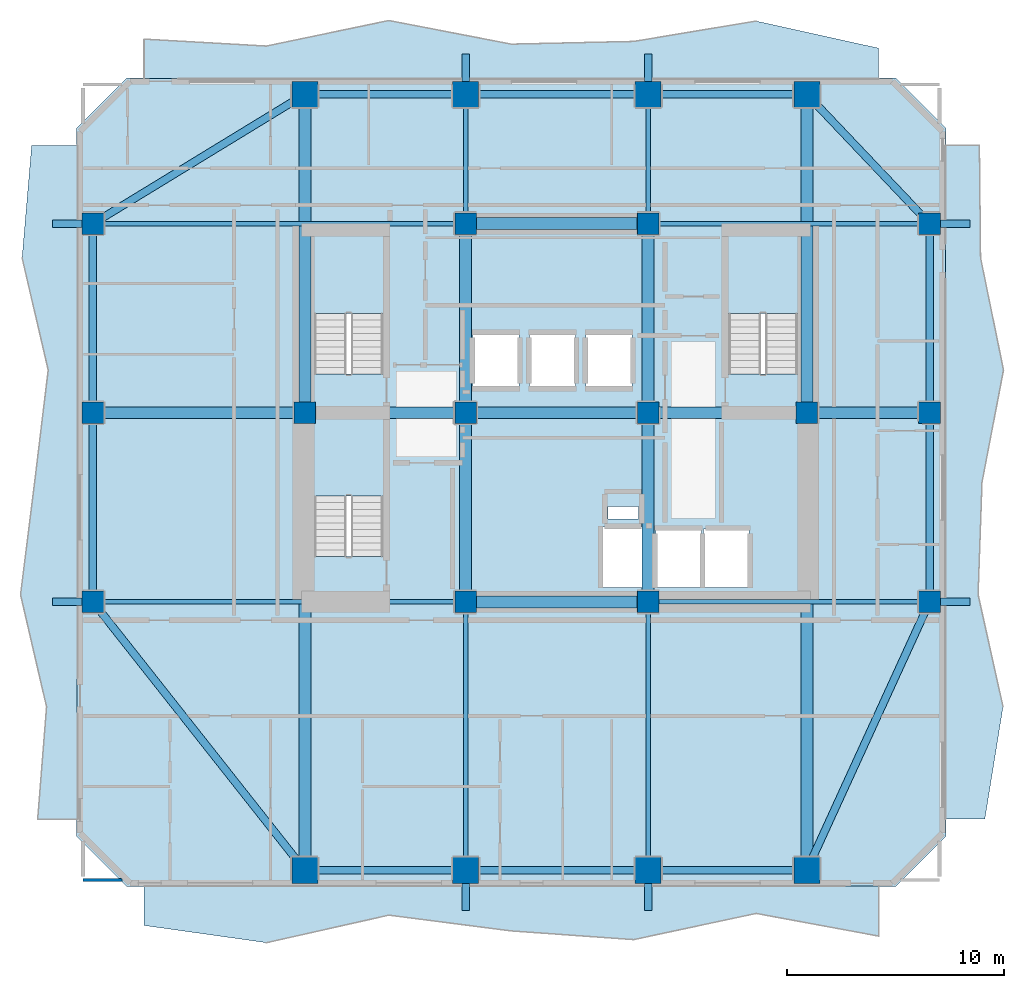
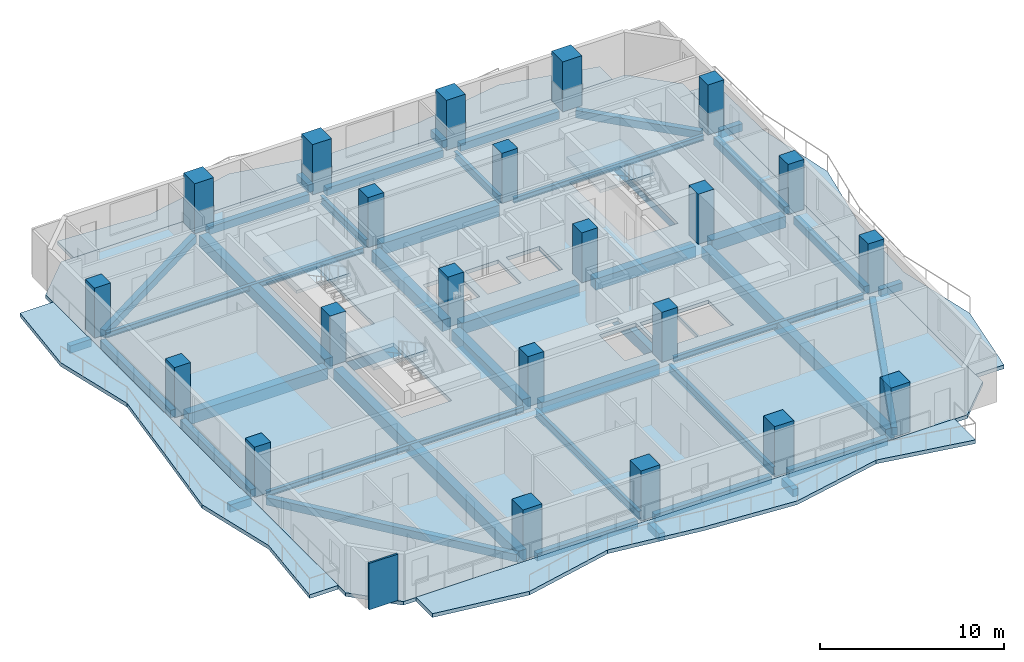
# One storey, part 1 of 10: 45 beams, 22 columns, 8 slabs, 1 wall, 3 elements without a shape of their own.
"""IFC4 building model written with IfcOpenShell, lengths in metres."""

from ifc_helpers import new_model, si_unit, direction, frame, frame_2d, origin, origin_2d, place, context, subcontext, project, spatial, polyline, rectangle, i_section, outline, extrude, material, layer, layer_set, material_profile, profile_set, type_object, element, aggregate, save


model = new_model("IFC4")

# Units and contexts
model_context = context("Model", 3, precision=1e-05, world=origin(), true_north=direction((0.0, 1.0)))
body_context = subcontext(model_context, "Body", "Model", "MODEL_VIEW")
ifc_project = project(units=[si_unit("LENGTHUNIT", "METRE"), si_unit("AREAUNIT", "SQUARE_METRE"), si_unit("VOLUMEUNIT", "CUBIC_METRE"), si_unit("PLANEANGLEUNIT", "RADIAN"), si_unit("MASSUNIT", "GRAM", prefix="KILO")], contexts=[model_context])

# Site, building, storey
site_placement = place(None, origin())
site = spatial("IfcSite", under=ifc_project, at=site_placement, CompositionType="ELEMENT")
building_placement = place(site_placement, origin())
building = spatial("IfcBuilding", under=site, at=building_placement, Name="Solanera Arch Residences", CompositionType="ELEMENT")
storey_placement = place(building_placement, frame((0.0, 0.0, 119.360107421875)))
storey = spatial("IfcBuildingStorey", under=building, at=storey_placement, Name="L34", CompositionType="ELEMENT", Elevation=119.360107421875)

# Columns
ifc_material_1 = material(Name="Concrete C55/67 (f'c = 60 MPa)", Category="concrete")
ifc_material_profile_1 = material_profile(ifc_material_1, rectangle(XDim=1.0, YDim=1.0, at=origin_2d()))
ifc_profile_set_1 = profile_set([ifc_material_profile_1], Name="Concrete C55/67 (f'c = 60 MPa)")
column_type_1 = type_object("IfcColumnType", Name="Structural Column RC-COL-1000X1000", PredefinedType="COLUMN", material=ifc_profile_set_1)
for number, where, z_axis, x_axis, name in (
    (1, (20.800048828125, 22.0, 0.0), (0.0, 0.0, 1.0), (1.0, 0.0, 0.0), "COL-L34-CB-SW"),
    (2, (29.199951171875, 22.0, 0.0), (0.0, 0.0, 1.0), (1.0, 0.0, 0.0), "COL-L34-CB-SE"),
    (3, (20.800048828125, 39.39990234375, 0.0), (0.0, 0.0, 1.0), (1.0, 0.0, 0.0), "COL-L34-CB-NW"),
    (4, (29.199951171875, 39.39990234375, 0.0), (0.0, 0.0, 1.0), (1.0, 0.0, 0.0), "COL-L34-CB-NE"),
    (5, (13.39990234375, 30.699951171875, 0.0), (0.0, 0.0, 1.0), (1.0, 0.0, 0.0), "COL-L34-CB-WW"),
    (6, (36.5, 30.699951171875, 0.0), (0.0, 0.0, 1.0), (1.0, 0.0, 0.0), "COL-L34-CB-EE"),
    (7, (20.800048828125, 30.699951171875, 0.0), (0.0, 0.0, 1.0), (1.0, 0.0, 0.0), "COL-L34-CORE-W"),
    (8, (29.199951171875, 30.699951171875, 0.0), (0.0, 0.0, 1.0), (1.0, 0.0, 0.0), "COL-L34-CORE-E"),
    (9, (3.64990234375, 22.0, 0.0), (0.0, 0.0, 1.0), (1.0, 0.0, 0.0), "COL-L34-TWR-09"),
    (10, (42.14990234375, 22.0, 0.0), (0.0, 0.0, 1.0), (1.0, 0.0, 0.0), "COL-L34-TWR-10"),
    (11, (3.64990234375, 30.699951171875, 0.0), (0.0, 0.0, 1.0), (1.0, 0.0, 0.0), "COL-L34-TWR-11"),
    (12, (42.14990234375, 30.699951171875, 0.0), (0.0, 0.0, 1.0), (1.0, 0.0, 0.0), "COL-L34-TWR-12"),
    (13, (3.64990234375, 39.39990234375, 0.0), (0.0, 0.0, 1.0), (1.0, 0.0, 0.0), "COL-L34-TWR-13"),
    (14, (42.14990234375, 39.39990234375, 0.0), (0.0, 0.0, 1.0), (1.0, 0.0, 0.0), "COL-L34-TWR-14"),
):
    element("IfcColumn", number, at=place(storey_placement, frame(where, z_axis=z_axis, x_axis=x_axis)), inside=storey, type_object=column_type_1, Name=name, PredefinedType="COLUMN", context=body_context, shape_type="SweptSolid", body=[
        extrude(rectangle(XDim=1.0, YDim=1.0, at=origin_2d()), origin(), (0.0, 0.0, 1.0), 3.31982421875),
    ])
ifc_material_2 = material(Name="Concrete C55/67 (f'c = 60 MPa)", Category="concrete")
ifc_material_profile_2 = material_profile(ifc_material_2, rectangle(XDim=1.199951171875, YDim=1.199951171875, at=origin_2d()))
ifc_profile_set_2 = profile_set([ifc_material_profile_2], Name="Concrete C55/67 (f'c = 60 MPa)")
column_type_2 = type_object("IfcColumnType", Name="Structural Column RC-COL-1200X1200", PredefinedType="COLUMN", material=ifc_profile_set_2)
for number, where, z_axis, x_axis, name in (
    (15, (13.39990234375, 9.64990234375, 0.0), (0.0, 0.0, 1.0), (1.0, 0.0, 0.0), "COL-L34-TWR-01"),
    (16, (13.39990234375, 45.35009765625, 0.0), (0.0, 0.0, 1.0), (1.0, 0.0, 0.0), "COL-L34-TWR-02"),
    (17, (20.800048828125, 9.64990234375, 0.0), (0.0, 0.0, 1.0), (1.0, 0.0, 0.0), "COL-L34-TWR-03"),
    (18, (20.800048828125, 45.35009765625, 0.0), (0.0, 0.0, 1.0), (1.0, 0.0, 0.0), "COL-L34-TWR-04"),
    (19, (29.199951171875, 9.64990234375, 0.0), (0.0, 0.0, 1.0), (1.0, 0.0, 0.0), "COL-L34-TWR-05"),
    (20, (29.199951171875, 45.35009765625, 0.0), (0.0, 0.0, 1.0), (1.0, 0.0, 0.0), "COL-L34-TWR-06"),
    (21, (36.5, 9.64990234375, 0.0), (0.0, 0.0, 1.0), (1.0, 0.0, 0.0), "COL-L34-TWR-07"),
    (22, (36.5, 45.35009765625, 0.0), (0.0, 0.0, 1.0), (1.0, 0.0, 0.0), "COL-L34-TWR-08"),
):
    element("IfcColumn", number, at=place(storey_placement, frame(where, z_axis=z_axis, x_axis=x_axis)), inside=storey, type_object=column_type_2, Name=name, PredefinedType="COLUMN", context=body_context, shape_type="SweptSolid", body=[
        extrude(rectangle(XDim=1.199951171875, YDim=1.199951171875, at=origin_2d()), origin(), (0.0, 0.0, 1.0), 3.31982421875),
    ])

# Beams
ifc_material_3 = material(Name="Concrete C40/50 (f'c = 45 MPa)", Category="concrete")
ifc_material_profile_3 = material_profile(ifc_material_3, rectangle(XDim=0.35009765625, YDim=0.5, at=origin_2d()))
ifc_profile_set_3 = profile_set([ifc_material_profile_3], Name="Concrete C40/50 (f'c = 45 MPa)")
beam_type_1 = type_object("IfcBeamType", Name="BM-BALC-RIB", PredefinedType="BEAM", material=ifc_profile_set_3)
for number, where, z_axis, x_axis, name in (
    (23, (20.800048828125, 7.800048828125, -0.5), (0.0, 1.0, 0.0), (-1.0, 0.0, 0.0), "BM-L34-BRIB-S1"),
    (24, (29.199951171875, 7.800048828125, -0.5), (0.0, 1.0, 0.0), (-1.0, 0.0, 0.0), "BM-L34-BRIB-S2"),
    (25, (20.800048828125, 45.949951171875, -0.5), (0.0, 1.0, 0.0), (-1.0, 0.0, 0.0), "BM-L34-BRIB-N1"),
    (26, (29.199951171875, 45.949951171875, -0.5), (0.0, 1.0, 0.0), (-1.0, 0.0, 0.0), "BM-L34-BRIB-N2"),
):
    element("IfcBeam", number, at=place(storey_placement, frame(where, z_axis=z_axis, x_axis=x_axis)), inside=storey, type_object=beam_type_1, Name=name, PredefinedType="BEAM", context=body_context, shape_type="SweptSolid", body=[
        extrude(rectangle(XDim=0.35009765625, YDim=0.5, at=origin_2d()), origin(), (0.0, 0.0, 1.0), 1.25),
    ])
for number, where, z_axis, x_axis, name in (
    (27, (42.64990234375, 22.0, -0.5), (1.0, 0.0, 0.0), (0.0, 1.0, 0.0), "BM-L34-BRIB-E1"),
    (28, (42.64990234375, 39.39990234375, -0.5), (1.0, 0.0, 0.0), (0.0, 1.0, 0.0), "BM-L34-BRIB-E2"),
):
    element("IfcBeam", number, at=place(storey_placement, frame(where, z_axis=z_axis, x_axis=x_axis)), inside=storey, type_object=beam_type_1, Name=name, PredefinedType="BEAM", context=body_context, shape_type="SweptSolid", body=[
        extrude(rectangle(XDim=0.35009765625, YDim=0.5, at=origin_2d()), origin(), (0.0, 0.0, 1.0), 1.35009765625),
    ])
for number, where, z_axis, x_axis, name in (
    (29, (1.800048828125, 22.0, -0.5), (1.0, 0.0, 0.0), (0.0, 1.0, 0.0), "BM-L34-BRIB-W1"),
    (30, (1.800048828125, 39.39990234375, -0.5), (1.0, 0.0, 0.0), (0.0, 1.0, 0.0), "BM-L34-BRIB-W2"),
):
    element("IfcBeam", number, at=place(storey_placement, frame(where, z_axis=z_axis, x_axis=x_axis)), inside=storey, type_object=beam_type_1, Name=name, PredefinedType="BEAM", context=body_context, shape_type="SweptSolid", body=[
        extrude(rectangle(XDim=0.35009765625, YDim=0.5, at=origin_2d()), origin(), (0.0, 0.0, 1.0), 1.349853515625),
    ])
ifc_material_4 = material(Name="Steel S355 (ASTM A992 / A572 Grade 50)", Category="steel")
ifc_material_profile_4 = material_profile(ifc_material_4, i_section(OverallWidth=0.208984375, OverallDepth=0.532958984375, WebThickness=0.01025390625, FlangeThickness=0.015625, at=origin_2d()))
ifc_profile_set_4 = profile_set([ifc_material_profile_4], Name="Steel S355 (ASTM A992 / A572 Grade 50)")
beam_type_2 = type_object("IfcBeamType", Name="Floor Beam W530X92", PredefinedType="BEAM", material=ifc_profile_set_4)
beam_1_placement = place(storey_placement, frame((20.800048828125, 10.18994140625, -0.506103515625), z_axis=(0.0, 1.0, 0.0), x_axis=(-1.0, 0.0, 0.0)))
element("IfcBeam", 31, at=beam_1_placement, inside=storey, type_object=beam_type_2, Name="BM-L34-RAD-S-208", PredefinedType="BEAM", context=body_context, shape_type="SweptSolid", body=[
    extrude(i_section(OverallWidth=0.208984375, OverallDepth=0.532958984375, WebThickness=0.01025390625, FlangeThickness=0.015625, at=origin_2d()), origin(), (0.0, 0.0, 1.0), 11.30615234375),
])
beam_2_placement = place(storey_placement, frame((20.800048828125, 39.904052734375, -0.506103515625), z_axis=(0.0, 1.0, 0.0), x_axis=(-1.0, 0.0, 0.0)))
element("IfcBeam", 32, at=beam_2_placement, inside=storey, type_object=beam_type_2, Name="BM-L34-RAD-N-208", PredefinedType="BEAM", context=body_context, shape_type="SweptSolid", body=[
    extrude(i_section(OverallWidth=0.208984375, OverallDepth=0.532958984375, WebThickness=0.01025390625, FlangeThickness=0.015625, at=origin_2d()), origin(), (0.0, 0.0, 1.0), 4.906005859375),
])
beam_3_placement = place(storey_placement, frame((29.199951171875, 10.18994140625, -0.506103515625), z_axis=(0.0, 1.0, 0.0), x_axis=(-1.0, 0.0, 0.0)))
element("IfcBeam", 33, at=beam_3_placement, inside=storey, type_object=beam_type_2, Name="BM-L34-RAD-S-292", PredefinedType="BEAM", context=body_context, shape_type="SweptSolid", body=[
    extrude(i_section(OverallWidth=0.208984375, OverallDepth=0.532958984375, WebThickness=0.01025390625, FlangeThickness=0.015625, at=origin_2d()), origin(), (0.0, 0.0, 1.0), 11.30615234375),
])
beam_4_placement = place(storey_placement, frame((29.199951171875, 39.904052734375, -0.506103515625), z_axis=(0.0, 1.0, 0.0), x_axis=(-1.0, 0.0, 0.0)))
element("IfcBeam", 34, at=beam_4_placement, inside=storey, type_object=beam_type_2, Name="BM-L34-RAD-N-292", PredefinedType="BEAM", context=body_context, shape_type="SweptSolid", body=[
    extrude(i_section(OverallWidth=0.208984375, OverallDepth=0.532958984375, WebThickness=0.01025390625, FlangeThickness=0.015625, at=origin_2d()), origin(), (0.0, 0.0, 1.0), 4.906005859375),
])
ifc_material_5 = material(Name="Concrete C40/50 (f'c = 45 MPa)", Category="concrete")
ifc_material_profile_5 = material_profile(ifc_material_5, rectangle(XDim=0.550048828125, YDim=0.75, at=origin_2d()))
ifc_profile_set_5 = profile_set([ifc_material_profile_5], Name="Concrete C40/50 (f'c = 45 MPa)")
beam_type_3 = type_object("IfcBeamType", Name="Primary Beam RC-BM-550X750", PredefinedType="BEAM", material=ifc_profile_set_5)
beam_5_placement = place(storey_placement, frame((20.800048828125, 22.50390625, -0.614990234375), z_axis=(0.0, 1.0, 0.0), x_axis=(-1.0, 0.0, 0.0)))
element("IfcBeam", 35, at=beam_5_placement, inside=storey, type_object=beam_type_3, Name="BM-L34-CC-S-208", PredefinedType="BEAM", context=body_context, shape_type="SweptSolid", body=[
    extrude(rectangle(XDim=0.550048828125, YDim=0.75, at=origin_2d()), origin(), (0.0, 0.0, 1.0), 7.692138671875),
])
beam_6_placement = place(storey_placement, frame((20.800048828125, 31.2041015625, -0.614990234375), z_axis=(0.0, 1.0, 0.0), x_axis=(-1.0, 0.0, 0.0)))
element("IfcBeam", 36, at=beam_6_placement, inside=storey, type_object=beam_type_3, Name="BM-L34-CC-N-208", PredefinedType="BEAM", context=body_context, shape_type="SweptSolid", body=[
    extrude(rectangle(XDim=0.550048828125, YDim=0.75, at=origin_2d()), origin(), (0.0, 0.0, 1.0), 7.69189453125),
])
beam_7_placement = place(storey_placement, frame((29.199951171875, 22.50390625, -0.614990234375), z_axis=(0.0, 1.0, 0.0), x_axis=(-1.0, 0.0, 0.0)))
element("IfcBeam", 37, at=beam_7_placement, inside=storey, type_object=beam_type_3, Name="BM-L34-CC-S-292", PredefinedType="BEAM", context=body_context, shape_type="SweptSolid", body=[
    extrude(rectangle(XDim=0.550048828125, YDim=0.75, at=origin_2d()), origin(), (0.0, 0.0, 1.0), 7.692138671875),
])
beam_8_placement = place(storey_placement, frame((29.199951171875, 31.2041015625, -0.614990234375), z_axis=(0.0, 1.0, 0.0), x_axis=(-1.0, 0.0, 0.0)))
element("IfcBeam", 38, at=beam_8_placement, inside=storey, type_object=beam_type_3, Name="BM-L34-CC-N-292", PredefinedType="BEAM", context=body_context, shape_type="SweptSolid", body=[
    extrude(rectangle(XDim=0.550048828125, YDim=0.75, at=origin_2d()), origin(), (0.0, 0.0, 1.0), 7.69189453125),
])
for number, where, z_axis, x_axis, name in (
    (39, (21.303955078125, 22.0, -0.614990234375), (1.0, 0.0, 0.0), (0.0, 1.0, 0.0), "BM-L34-CC-M-220"),
    (40, (21.303955078125, 30.699951171875, -0.614990234375), (1.0, 0.0, 0.0), (0.0, 1.0, 0.0), "BM-L34-CC-M-307"),
    (41, (21.303955078125, 39.39990234375, -0.614990234375), (1.0, 0.0, 0.0), (0.0, 1.0, 0.0), "BM-L34-CC-M-394"),
):
    element("IfcBeam", number, at=place(storey_placement, frame(where, z_axis=z_axis, x_axis=x_axis)), inside=storey, type_object=beam_type_3, Name=name, PredefinedType="BEAM", context=body_context, shape_type="SweptSolid", body=[
        extrude(rectangle(XDim=0.550048828125, YDim=0.75, at=origin_2d()), origin(), (0.0, 0.0, 1.0), 7.39208984375),
    ])
beam_9_placement = place(storey_placement, frame((13.904052734375, 30.699951171875, -0.614990234375), z_axis=(1.0, 0.0, 0.0), x_axis=(0.0, 1.0, 0.0)))
element("IfcBeam", 42, at=beam_9_placement, inside=storey, type_object=beam_type_3, Name="BM-L34-CC-W", PredefinedType="BEAM", context=body_context, shape_type="SweptSolid", body=[
    extrude(rectangle(XDim=0.550048828125, YDim=0.75, at=origin_2d()), origin(), (0.0, 0.0, 1.0), 6.391845703125),
])
beam_10_placement = place(storey_placement, frame((29.7041015625, 30.699951171875, -0.614990234375), z_axis=(1.0, 0.0, 0.0), x_axis=(0.0, 1.0, 0.0)))
element("IfcBeam", 43, at=beam_10_placement, inside=storey, type_object=beam_type_3, Name="BM-L34-CC-E", PredefinedType="BEAM", context=body_context, shape_type="SweptSolid", body=[
    extrude(rectangle(XDim=0.550048828125, YDim=0.75, at=origin_2d()), origin(), (0.0, 0.0, 1.0), 6.2919921875),
])
beam_11_placement = place(storey_placement, frame((13.39990234375, 10.18994140625, -0.614990234375), z_axis=(0.0, 1.0, 0.0), x_axis=(-1.0, 0.0, 0.0)))
element("IfcBeam", 44, at=beam_11_placement, inside=storey, type_object=beam_type_3, Name="BM-L34-RAD-OS-134", PredefinedType="BEAM", context=body_context, shape_type="SweptSolid", body=[
    extrude(rectangle(XDim=0.550048828125, YDim=0.75, at=origin_2d()), origin(), (0.0, 0.0, 1.0), 20.006103515625),
])
beam_12_placement = place(storey_placement, frame((13.39990234375, 31.2041015625, -0.614990234375), z_axis=(0.0, 1.0, 0.0), x_axis=(-1.0, 0.0, 0.0)))
element("IfcBeam", 45, at=beam_12_placement, inside=storey, type_object=beam_type_3, Name="BM-L34-RAD-ON-134", PredefinedType="BEAM", context=body_context, shape_type="SweptSolid", body=[
    extrude(rectangle(XDim=0.550048828125, YDim=0.75, at=origin_2d()), origin(), (0.0, 0.0, 1.0), 13.60595703125),
])
beam_13_placement = place(storey_placement, frame((36.5, 10.18994140625, -0.614990234375), z_axis=(0.0, 1.0, 0.0), x_axis=(-1.0, 0.0, 0.0)))
element("IfcBeam", 46, at=beam_13_placement, inside=storey, type_object=beam_type_3, Name="BM-L34-RAD-OS-365", PredefinedType="BEAM", context=body_context, shape_type="SweptSolid", body=[
    extrude(rectangle(XDim=0.550048828125, YDim=0.75, at=origin_2d()), origin(), (0.0, 0.0, 1.0), 20.006103515625),
])
beam_14_placement = place(storey_placement, frame((36.5, 31.2041015625, -0.614990234375), z_axis=(0.0, 1.0, 0.0), x_axis=(-1.0, 0.0, 0.0)))
element("IfcBeam", 47, at=beam_14_placement, inside=storey, type_object=beam_type_3, Name="BM-L34-RAD-ON-365", PredefinedType="BEAM", context=body_context, shape_type="SweptSolid", body=[
    extrude(rectangle(XDim=0.550048828125, YDim=0.75, at=origin_2d()), origin(), (0.0, 0.0, 1.0), 13.60595703125),
])
beam_15_placement = place(storey_placement, frame((4.154052734375, 30.699951171875, -0.614990234375), z_axis=(1.0, 0.0, 0.0), x_axis=(0.0, 1.0, 0.0)))
element("IfcBeam", 48, at=beam_15_placement, inside=storey, type_object=beam_type_3, Name="BM-L34-RAD-MW", PredefinedType="BEAM", context=body_context, shape_type="SweptSolid", body=[
    extrude(rectangle(XDim=0.550048828125, YDim=0.75, at=origin_2d()), origin(), (0.0, 0.0, 1.0), 8.741943359375),
])
beam_16_placement = place(storey_placement, frame((37.00390625, 30.699951171875, -0.614990234375), z_axis=(1.0, 0.0, 0.0), x_axis=(0.0, 1.0, 0.0)))
element("IfcBeam", 49, at=beam_16_placement, inside=storey, type_object=beam_type_3, Name="BM-L34-RAD-ME", PredefinedType="BEAM", context=body_context, shape_type="SweptSolid", body=[
    extrude(rectangle(XDim=0.550048828125, YDim=0.75, at=origin_2d()), origin(), (0.0, 0.0, 1.0), 4.64208984375),
])
ifc_material_6 = material(Name="Steel S355 (ASTM A992 / A572 Grade 50)", Category="steel")
ifc_material_profile_6 = material_profile(ifc_material_6, i_section(OverallWidth=0.205078125, OverallDepth=0.35400390625, WebThickness=0.009521484375, FlangeThickness=0.016845703125, at=origin_2d()))
ifc_profile_set_6 = profile_set([ifc_material_profile_6], Name="Steel S355 (ASTM A992 / A572 Grade 50)")
beam_type_4 = type_object("IfcBeamType", Name="Secondary Joist W360X79", PredefinedType="JOIST", material=ifc_profile_set_6)
beam_17_placement = place(storey_placement, frame((4.154052734375, 22.0, -0.4169921875), z_axis=(1.0, 0.0, 0.0), x_axis=(0.0, 1.0, 0.0)))
element("IfcBeam", 50, at=beam_17_placement, inside=storey, type_object=beam_type_4, Name="BM-L34-RAD-W-220", PredefinedType="JOIST", context=body_context, shape_type="SweptSolid", body=[
    extrude(i_section(OverallWidth=0.205078125, OverallDepth=0.35400390625, WebThickness=0.009521484375, FlangeThickness=0.016845703125, at=origin_2d()), origin(), (0.0, 0.0, 1.0), 16.141845703125),
])
beam_18_placement = place(storey_placement, frame((29.7041015625, 22.0, -0.4169921875), z_axis=(1.0, 0.0, 0.0), x_axis=(0.0, 1.0, 0.0)))
element("IfcBeam", 51, at=beam_18_placement, inside=storey, type_object=beam_type_4, Name="BM-L34-RAD-E-220", PredefinedType="JOIST", context=body_context, shape_type="SweptSolid", body=[
    extrude(i_section(OverallWidth=0.205078125, OverallDepth=0.35400390625, WebThickness=0.009521484375, FlangeThickness=0.016845703125, at=origin_2d()), origin(), (0.0, 0.0, 1.0), 11.94189453125),
])
beam_19_placement = place(storey_placement, frame((4.154052734375, 39.39990234375, -0.4169921875), z_axis=(1.0, 0.0, 0.0), x_axis=(0.0, 1.0, 0.0)))
element("IfcBeam", 52, at=beam_19_placement, inside=storey, type_object=beam_type_4, Name="BM-L34-RAD-W-394", PredefinedType="JOIST", context=body_context, shape_type="SweptSolid", body=[
    extrude(i_section(OverallWidth=0.205078125, OverallDepth=0.35400390625, WebThickness=0.009521484375, FlangeThickness=0.016845703125, at=origin_2d()), origin(), (0.0, 0.0, 1.0), 16.141845703125),
])
beam_20_placement = place(storey_placement, frame((29.7041015625, 39.39990234375, -0.4169921875), z_axis=(1.0, 0.0, 0.0), x_axis=(0.0, 1.0, 0.0)))
element("IfcBeam", 53, at=beam_20_placement, inside=storey, type_object=beam_type_4, Name="BM-L34-RAD-E-394", PredefinedType="JOIST", context=body_context, shape_type="SweptSolid", body=[
    extrude(i_section(OverallWidth=0.205078125, OverallDepth=0.35400390625, WebThickness=0.009521484375, FlangeThickness=0.016845703125, at=origin_2d()), origin(), (0.0, 0.0, 1.0), 11.94189453125),
])
ifc_material_7 = material(Name="Concrete C40/50 (f'c = 45 MPa)", Category="concrete")
ifc_material_profile_7 = material_profile(ifc_material_7, rectangle(XDim=0.35009765625, YDim=0.5, at=origin_2d()))
ifc_profile_set_7 = profile_set([ifc_material_profile_7], Name="Concrete C40/50 (f'c = 45 MPa)")
beam_type_5 = type_object("IfcBeamType", Name="Spandrel Beam RC-BM-350X500", PredefinedType="SPANDREL", material=ifc_profile_set_7)
for number, where, z_axis, x_axis, name in (
    (54, (13.93994140625, 9.64990234375, -0.489990234375), (1.0, 0.0, 0.0), (0.0, 1.0, 0.0), "BM-L34-SPN-S-1"),
    (55, (13.93994140625, 45.35009765625, -0.489990234375), (1.0, 0.0, 0.0), (0.0, 1.0, 0.0), "BM-L34-SPN-N-1"),
):
    element("IfcBeam", number, at=place(storey_placement, frame(where, z_axis=z_axis, x_axis=x_axis)), inside=storey, type_object=beam_type_5, Name=name, PredefinedType="SPANDREL", context=body_context, shape_type="SweptSolid", body=[
        extrude(rectangle(XDim=0.35009765625, YDim=0.5, at=origin_2d()), origin(), (0.0, 0.0, 1.0), 6.320068359375),
    ])
for number, where, z_axis, x_axis, name in (
    (56, (21.340087890625, 9.64990234375, -0.489990234375), (1.0, 0.0, 0.0), (0.0, 1.0, 0.0), "BM-L34-SPN-S-2"),
    (57, (21.340087890625, 45.35009765625, -0.489990234375), (1.0, 0.0, 0.0), (0.0, 1.0, 0.0), "BM-L34-SPN-N-2"),
):
    element("IfcBeam", number, at=place(storey_placement, frame(where, z_axis=z_axis, x_axis=x_axis)), inside=storey, type_object=beam_type_5, Name=name, PredefinedType="SPANDREL", context=body_context, shape_type="SweptSolid", body=[
        extrude(rectangle(XDim=0.35009765625, YDim=0.5, at=origin_2d()), origin(), (0.0, 0.0, 1.0), 7.31982421875),
    ])
for number, where, z_axis, x_axis, name in (
    (58, (29.739990234375, 9.64990234375, -0.489990234375), (1.0, 0.0, 0.0), (0.0, 1.0, 0.0), "BM-L34-SPN-S-3"),
    (59, (29.739990234375, 45.35009765625, -0.489990234375), (1.0, 0.0, 0.0), (0.0, 1.0, 0.0), "BM-L34-SPN-N-3"),
):
    element("IfcBeam", number, at=place(storey_placement, frame(where, z_axis=z_axis, x_axis=x_axis)), inside=storey, type_object=beam_type_5, Name=name, PredefinedType="SPANDREL", context=body_context, shape_type="SweptSolid", body=[
        extrude(rectangle(XDim=0.35009765625, YDim=0.5, at=origin_2d()), origin(), (0.0, 0.0, 1.0), 6.219970703125),
    ])
for number, where, z_axis, x_axis, name in (
    (60, (3.64990234375, 22.50390625, -0.489990234375), (0.0, 1.0, 0.0), (-1.0, 0.0, 0.0), "BM-L34-SPN-W-1"),
    (61, (42.14990234375, 22.50390625, -0.489990234375), (0.0, 1.0, 0.0), (-1.0, 0.0, 0.0), "BM-L34-SPN-E-1"),
):
    element("IfcBeam", number, at=place(storey_placement, frame(where, z_axis=z_axis, x_axis=x_axis)), inside=storey, type_object=beam_type_5, Name=name, PredefinedType="SPANDREL", context=body_context, shape_type="SweptSolid", body=[
        extrude(rectangle(XDim=0.35009765625, YDim=0.5, at=origin_2d()), origin(), (0.0, 0.0, 1.0), 7.692138671875),
    ])
for number, where, z_axis, x_axis, name in (
    (62, (3.64990234375, 31.2041015625, -0.489990234375), (0.0, 1.0, 0.0), (-1.0, 0.0, 0.0), "BM-L34-SPN-W-2"),
    (63, (42.14990234375, 31.2041015625, -0.489990234375), (0.0, 1.0, 0.0), (-1.0, 0.0, 0.0), "BM-L34-SPN-E-2"),
):
    element("IfcBeam", number, at=place(storey_placement, frame(where, z_axis=z_axis, x_axis=x_axis)), inside=storey, type_object=beam_type_5, Name=name, PredefinedType="SPANDREL", context=body_context, shape_type="SweptSolid", body=[
        extrude(rectangle(XDim=0.35009765625, YDim=0.5, at=origin_2d()), origin(), (0.0, 0.0, 1.0), 7.69189453125),
    ])
beam_21_placement = place(storey_placement, frame((13.06494140625, 10.073974609375, -0.489990234375), z_axis=(-0.619616738842, 0.784904514541, 0.0), x_axis=(-0.784904514541, -0.619616738842, 0.0)))
element("IfcBeam", 64, at=beam_21_placement, inside=storey, type_object=beam_type_5, Name="BM-L34-SPN-SW", PredefinedType="SPANDREL", context=body_context, shape_type="SweptSolid", body=[
    extrude(rectangle(XDim=0.35009765625, YDim=0.5, at=origin_2d()), origin(), (0.0, 0.0, 1.0), 14.654052734375),
])
beam_22_placement = place(storey_placement, frame((12.93896484375, 45.069091796875, -0.489990234375), z_axis=(-0.85356704597, -0.520983011271, 0.0), x_axis=(0.520983011271, -0.85356704597, 0.0)))
element("IfcBeam", 65, at=beam_22_placement, inside=storey, type_object=beam_type_5, Name="BM-L34-SPN-NW", PredefinedType="SPANDREL", context=body_context, shape_type="SweptSolid", body=[
    extrude(rectangle(XDim=0.35009765625, YDim=0.5, at=origin_2d()), origin(), (0.0, 0.0, 1.0), 10.34228515625),
])
beam_23_placement = place(storey_placement, frame((36.72509765625, 10.14111328125, -0.489990234375), z_axis=(0.415970676335, 0.909378027241, 0.0), x_axis=(-0.909378027241, 0.415970676335, 0.0)))
element("IfcBeam", 66, at=beam_23_placement, inside=storey, type_object=beam_type_5, Name="BM-L34-SPN-SE", PredefinedType="SPANDREL", context=body_context, shape_type="SweptSolid", body=[
    extrude(rectangle(XDim=0.35009765625, YDim=0.5, at=origin_2d()), origin(), (0.0, 0.0, 1.0), 12.500732421875),
])
beam_24_placement = place(storey_placement, frame((36.8720703125, 44.9580078125, -0.489990234375), z_axis=(0.688623365426, -0.7251192044, 0.0), x_axis=(0.7251192044, 0.688623365426, 0.0)))
element("IfcBeam", 67, at=beam_24_placement, inside=storey, type_object=beam_type_5, Name="BM-L34-SPN-NE", PredefinedType="SPANDREL", context=body_context, shape_type="SweptSolid", body=[
    extrude(rectangle(XDim=0.35009765625, YDim=0.5, at=origin_2d()), origin(), (0.0, 0.0, 1.0), 7.124267578125),
])

# Slabs
ifc_material_8 = material(Name="Concrete C40/50 (f'c = 45 MPa)", Category="concrete")
ifc_layer_1 = layer(ifc_material_8, 0.25)
ifc_layer_set_1 = layer_set([ifc_layer_1], Name="Concrete C40/50 (f'c = 45 MPa)")
slab_type_1 = type_object("IfcSlabType", Name="Balcony Slab 250", PredefinedType="FLOOR", material=ifc_layer_set_1)
slab_1_placement = place(storey_placement, frame((0.0, 0.0, -0.25)))
element("IfcSlab", 68, at=slab_1_placement, inside=storey, type_object=slab_type_1, Name="L34 S Rippling Brise-Soleil Balcony Slab", PredefinedType="FLOOR", context=body_context, shape_type="SweptSolid", body=[
    extrude(outline(polyline([(6.0, 7.10791015625), (11.633056640625, 6.31494140625), (17.26708984375, 7.583984375), (22.89990234375, 6.85791015625), (28.532958984375, 6.4580078125), (34.1669921875, 7.6630859375), (39.800048828125, 6.62109375), (39.800048828125, 8.919921875), (6.0, 8.919921875), (6.0, 7.10791015625)])), origin(), (0.0, 0.0, 1.0), 0.25),
])
slab_2_placement = place(storey_placement, frame((0.0, 0.0, -0.25)))
element("IfcSlab", 69, at=slab_2_placement, inside=storey, type_object=slab_type_1, Name="L34 N Rippling Brise-Soleil Balcony Slab", PredefinedType="FLOOR", context=body_context, shape_type="SweptSolid", body=[
    extrude(outline(polyline([(39.800048828125, 47.47705078125), (34.1669921875, 48.722900390625), (28.532958984375, 47.785888671875), (22.89990234375, 47.660888671875), (17.26708984375, 48.748046875), (11.633056640625, 47.572021484375), (6.0, 47.89208984375), (6.0, 46.080078125), (39.800048828125, 46.080078125), (39.800048828125, 47.47705078125)])), origin(), (0.0, 0.0, 1.0), 0.25),
])
slab_3_placement = place(storey_placement, frame((0.0, 0.0, -0.25)))
element("IfcSlab", 70, at=slab_3_placement, inside=storey, type_object=slab_type_1, Name="L34 E Rippling Brise-Soleil Balcony Slab", PredefinedType="FLOOR", context=body_context, shape_type="SweptSolid", body=[
    extrude(outline(polyline([(44.69189453125, 12.0), (45.528076171875, 17.1669921875), (44.37890625, 22.3330078125), (44.56005859375, 27.5), (45.549072265625, 32.6669921875), (44.492919921875, 37.8330078125), (44.43798828125, 43.0), (42.8798828125, 43.0), (42.8798828125, 12.0), (44.69189453125, 12.0)])), origin(), (0.0, 0.0, 1.0), 0.25),
])
slab_4_placement = place(storey_placement, frame((0.0, 0.0, -0.25)))
element("IfcSlab", 71, at=slab_4_placement, inside=storey, type_object=slab_type_1, Name="L34 W Rippling Brise-Soleil Balcony Slab", PredefinedType="FLOOR", context=body_context, shape_type="SweptSolid", body=[
    extrude(outline(polyline([(0.8310546875, 43.0), (0.39111328125, 37.8330078125), (1.593017578125, 32.6669921875), (0.968994140625, 27.5), (0.319091796875, 22.3330078125), (1.51806640625, 17.1669921875), (1.10791015625, 12.0), (2.919921875, 12.0), (2.919921875, 43.0), (0.8310546875, 43.0)])), origin(), (0.0, 0.0, 1.0), 0.25),
])

# Stair, slab
ifc_material_9 = material(Name="Concrete C40/50 (f'c = 45 MPa)", Category="concrete")
stair_type = type_object("IfcStairType", Name="Tower Dogleg Exit Stair 1480", PredefinedType="HALF_TURN_STAIR", material=ifc_material_9)
stair_1_placement = place(storey_placement, origin())
stair_1 = element("IfcStair", 72, at=stair_1_placement, inside=storey, type_object=stair_type, Name="L34 Tower Core Exit Stair 1", PredefinedType="HALF_TURN_STAIR")
ifc_material_10 = material(Name="Concrete C40/50 (f'c = 45 MPa)", Category="concrete")
ifc_layer_2 = layer(ifc_material_10, 0.199951171875)
ifc_layer_set_2 = layer_set([ifc_layer_2], Name="Concrete C40/50 (f'c = 45 MPa)")
slab_type_2 = type_object("IfcSlabType", Name="Stair Half-Landing Slab 200", PredefinedType="LANDING", material=ifc_layer_set_2)
slab_5_placement = place(storey_placement, frame((0.0, 0.0, 1.4599609375)))
slab_5 = element("IfcSlab", 73, at=slab_5_placement, type_object=slab_type_2, Name="ST-T1 landing 1", PredefinedType="LANDING", context=body_context, shape_type="SweptSolid", body=[
    extrude(outline(polyline([(17.1201171875, 35.260009765625), (17.1201171875, 38.919921875), (13.719970703125, 38.919921875), (13.719970703125, 35.260009765625), (17.1201171875, 35.260009765625)])), origin(), (0.0, 0.0, 1.0), 0.199951171875),
])
aggregate(stair_1, [slab_5])

stair_2_placement = place(storey_placement, origin())
stair_2 = element("IfcStair", 74, at=stair_2_placement, inside=storey, type_object=stair_type, Name="L34 Tower Core Exit Stair 2", PredefinedType="HALF_TURN_STAIR")
slab_6_placement = place(storey_placement, frame((0.0, 0.0, 1.4599609375)))
slab_6 = element("IfcSlab", 75, at=slab_6_placement, type_object=slab_type_2, Name="ST-T2 landing 1", PredefinedType="LANDING", context=body_context, shape_type="SweptSolid", body=[
    extrude(outline(polyline([(36.179931640625, 35.260009765625), (36.179931640625, 38.919921875), (32.780029296875, 38.919921875), (32.780029296875, 35.260009765625), (36.179931640625, 35.260009765625)])), origin(), (0.0, 0.0, 1.0), 0.199951171875),
])
aggregate(stair_2, [slab_6])

stair_3_placement = place(storey_placement, origin())
stair_3 = element("IfcStair", 76, at=stair_3_placement, inside=storey, type_object=stair_type, Name="L34 Tower Core Exit Stair 3", PredefinedType="HALF_TURN_STAIR")
slab_7_placement = place(storey_placement, frame((0.0, 0.0, 1.4599609375)))
slab_7 = element("IfcSlab", 77, at=slab_7_placement, type_object=slab_type_2, Name="ST-T3 landing 1", PredefinedType="LANDING", context=body_context, shape_type="SweptSolid", body=[
    extrude(outline(polyline([(17.1201171875, 26.860107421875), (17.1201171875, 30.52001953125), (13.719970703125, 30.52001953125), (13.719970703125, 26.860107421875), (17.1201171875, 26.860107421875)])), origin(), (0.0, 0.0, 1.0), 0.199951171875),
])
aggregate(stair_3, [slab_7])

# Slab
ifc_material_11 = material(Name="Concrete C40/50 (f'c = 45 MPa)", Category="concrete")
ifc_layer_3 = layer(ifc_material_11, 0.239990234375)
ifc_layer_set_3 = layer_set([ifc_layer_3], Name="Concrete C40/50 (f'c = 45 MPa)")
slab_type_3 = type_object("IfcSlabType", Name="Suspended Floor Slab Post-Tensioned 240", PredefinedType="FLOOR", material=ifc_layer_set_3)
slab_8_placement = place(storey_placement, frame((0.0, 0.0, -0.239990234375)))
element("IfcSlab", 78, at=slab_8_placement, inside=storey, type_object=slab_type_3, Name="L34 Tower Post-Tensioned Floor Slab", PredefinedType="FLOOR", context=body_context, shape_type="SweptSolid", body=[
    extrude(outline(polyline([(5.199951171875, 8.89990234375), (40.60009765625, 8.89990234375), (42.89990234375, 11.199951171875), (42.89990234375, 43.800048828125), (40.60009765625, 46.10009765625), (5.199951171875, 46.10009765625), (2.89990234375, 43.800048828125), (2.89990234375, 11.199951171875), (5.199951171875, 8.89990234375)]), holes=[polyline([(13.840087890625, 32.48291015625), (13.840087890625, 38.800048828125), (17.0, 38.800048828125), (17.0, 32.48291015625), (13.840087890625, 32.48291015625)]), polyline([(32.89990234375, 32.48291015625), (32.89990234375, 38.800048828125), (36.06005859375, 38.800048828125), (36.06005859375, 32.48291015625), (32.89990234375, 32.48291015625)]), polyline([(13.840087890625, 24.0830078125), (13.840087890625, 30.39990234375), (17.0, 30.39990234375), (17.0, 24.0830078125), (13.840087890625, 24.0830078125)]), polyline([(21.14990234375, 34.35009765625), (23.25, 34.35009765625), (23.25, 31.85009765625), (21.14990234375, 31.85009765625), (21.14990234375, 34.35009765625)]), polyline([(23.75, 34.35009765625), (25.85009765625, 34.35009765625), (25.85009765625, 31.85009765625), (23.75, 31.85009765625), (23.75, 34.35009765625)]), polyline([(26.35009765625, 34.35009765625), (28.449951171875, 34.35009765625), (28.449951171875, 31.85009765625), (26.35009765625, 31.85009765625), (26.35009765625, 34.35009765625)]), polyline([(29.550048828125, 25.35009765625), (31.64990234375, 25.35009765625), (31.64990234375, 22.64990234375), (29.550048828125, 22.64990234375), (29.550048828125, 25.35009765625)]), polyline([(31.75, 25.35009765625), (33.85009765625, 25.35009765625), (33.85009765625, 22.64990234375), (31.75, 22.64990234375), (31.75, 25.35009765625)]), polyline([(27.050048828125, 25.449951171875), (29.35009765625, 25.449951171875), (29.35009765625, 22.64990234375), (27.050048828125, 22.64990234375), (27.050048828125, 25.449951171875)]), polyline([(27.340087890625, 26.3798828125), (28.760009765625, 26.3798828125), (28.760009765625, 25.820068359375), (27.340087890625, 25.820068359375), (27.340087890625, 26.3798828125)])]), origin(), (0.0, 0.0, 1.0), 0.239990234375),
])

# Wall
ifc_material_12 = material(Name="Fire-Rated Gypsum Stud Partition", Category="gypsum")
ifc_layer_4 = layer(ifc_material_12, 0.1201171875)
ifc_layer_set_4 = layer_set([ifc_layer_4], Name="Fire-Rated Gypsum Stud Partition")
wall_type = type_object("IfcWallType", Name="Unit Drywall Partition 120", PredefinedType="PARTITIONING", material=ifc_layer_set_4)
wall_placement = place(storey_placement, frame((3.199951171875, 9.199951171875, 0.0), z_axis=(0.0, 0.0, 1.0), x_axis=(1.0, 0.0, 0.0)))
element("IfcWall", 79, at=wall_placement, inside=storey, type_object=wall_type, Name="L34 Interior Partition H18 1", PredefinedType="PARTITIONING", context=body_context, shape_type="SweptSolid", body=[
    extrude(rectangle(XDim=1.795166015625, YDim=0.1201171875, at=frame_2d((0.8974609375, 0.0))), origin(), (0.0, 0.0, 1.0), 3.079833984375),
])

save(model, "model.ifc")
